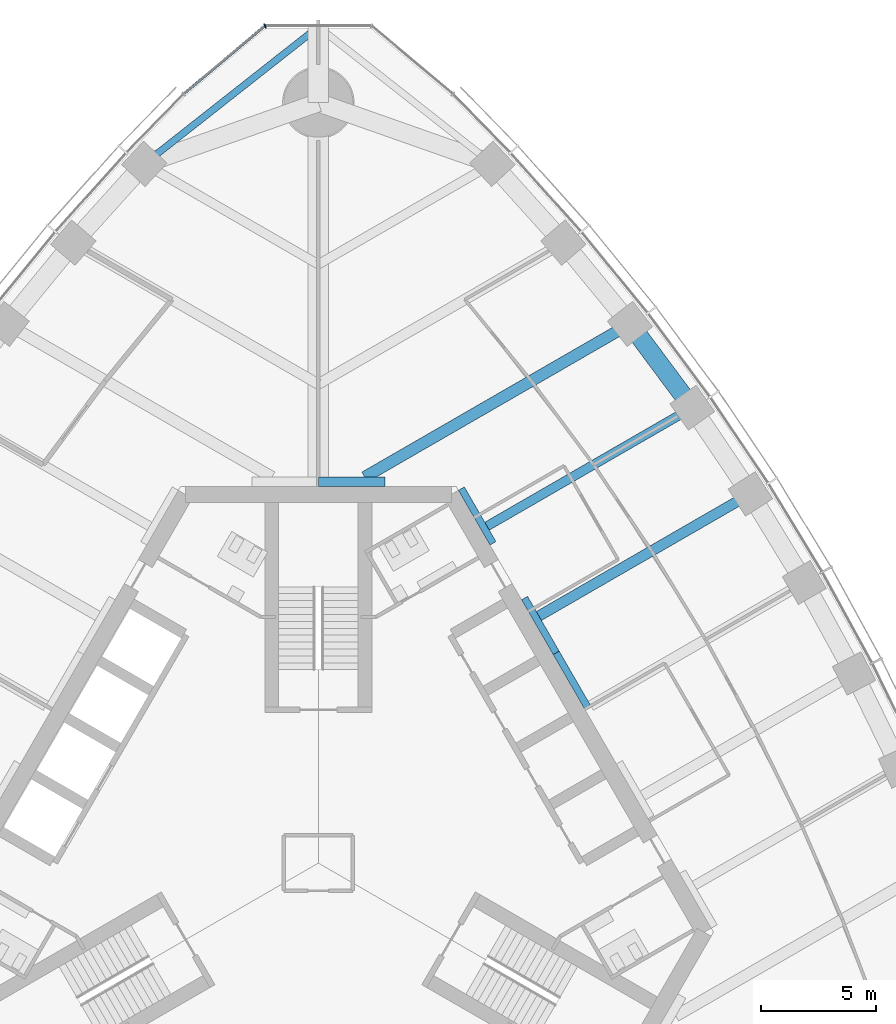
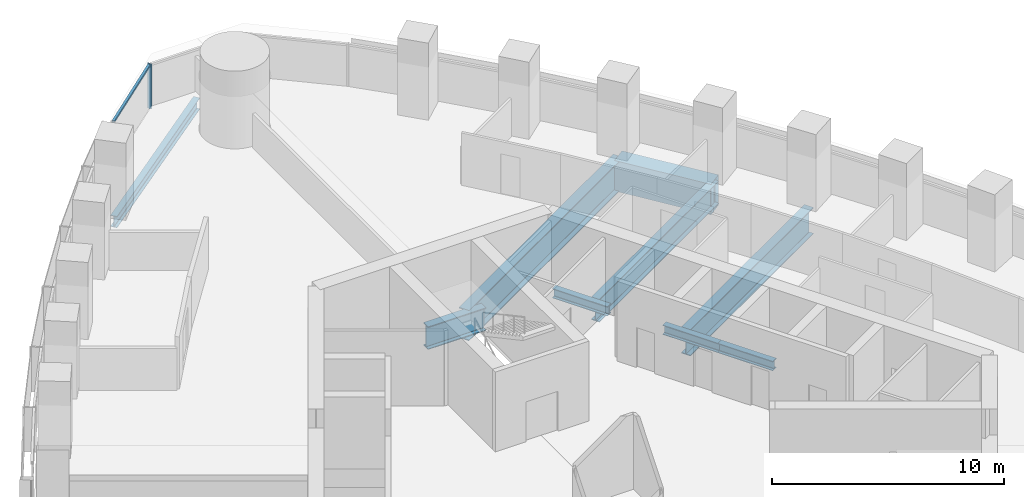
# One storey, part 6 of 19: 9 beams, 2 members, 1 element without a shape of its own.
"""IFC4 building model written with IfcOpenShell, lengths in metres."""

from ifc_helpers import new_model, si_unit, direction, frame, origin, origin_2d, place, context, subcontext, project, spatial, rectangle, i_section, extrude, material, material_profile, profile_set, type_object, element, aggregate, save


model = new_model("IFC4")

# Units and contexts
model_context = context("Model", 3, precision=1e-05, world=origin(), true_north=direction((0.0, 1.0)))
body_context = subcontext(model_context, "Body", "Model", "MODEL_VIEW")
ifc_project = project(units=[si_unit("LENGTHUNIT", "METRE"), si_unit("AREAUNIT", "SQUARE_METRE"), si_unit("VOLUMEUNIT", "CUBIC_METRE"), si_unit("PLANEANGLEUNIT", "RADIAN"), si_unit("MASSUNIT", "GRAM", prefix="KILO")], contexts=[model_context])

# Site, building, storey
site_placement = place(None, origin())
site = spatial("IfcSite", under=ifc_project, at=site_placement, CompositionType="ELEMENT")
building_placement = place(site_placement, origin())
building = spatial("IfcBuilding", under=site, at=building_placement, Name="Trefoil Bronze Tower", CompositionType="ELEMENT")
storey_placement = place(building_placement, frame((0.0, 0.0, 261.10009765625)))
storey = spatial("IfcBuildingStorey", under=building, at=storey_placement, Name="L60", CompositionType="ELEMENT", Elevation=261.10009765625)

# Curtain wall, members
ifc_material_1 = material(Name="Tinted solar-control glass", Category="glass")
curtain_wall_type = type_object("IfcCurtainWallType", Name="Bronze rounded corner curtain wall", PredefinedType="USERDEFINED", material=ifc_material_1)
curtain_wall_placement = place(storey_placement, origin())
curtain_wall = element("IfcCurtainWall", 1, at=curtain_wall_placement, inside=storey, type_object=curtain_wall_type, Name="CW-B L60 K2", ObjectType="CURTAIN WALL", PredefinedType="USERDEFINED")
ifc_material_2 = material(Name="Bronze-finish aluminium", Category="aluminium")
ifc_material_profile_1 = material_profile(ifc_material_2, rectangle(XDim=0.199951171875, YDim=0.06005859375, at=origin_2d()), Name="CW-B mullion")
ifc_profile_set_1 = profile_set([ifc_material_profile_1], Name="Bronze-finish aluminium")
member_type_1 = type_object("IfcMemberType", Name="Bronze rounded corner curtain wall mullion", PredefinedType="MULLION", material=ifc_profile_set_1)
member_1_placement = place(storey_placement, frame((-2.314453125, 36.326416015625, 0.0), z_axis=(0.0, 0.0, 1.0), x_axis=(0.342020143326, -0.939692620786, 0.0)))
member_1 = element("IfcMember", 2, at=member_1_placement, type_object=member_type_1, Name="CW-B L60 K2 mullion 3", PredefinedType="MULLION", context=body_context, shape_type="SweptSolid", body=[
    extrude(rectangle(XDim=0.199951171875, YDim=0.06005859375, at=origin_2d()), origin(), (0.0, 0.0, 1.0), 2.349853515625),
])
ifc_material_3 = material(Name="Bronze-finish aluminium", Category="aluminium")
ifc_material_profile_2 = material_profile(ifc_material_3, rectangle(XDim=0.1201171875, YDim=0.10009765625, at=origin_2d()), Name="CW-B transom")
ifc_profile_set_2 = profile_set([ifc_material_profile_2], Name="Bronze-finish aluminium")
member_type_2 = type_object("IfcMemberType", Name="Bronze rounded corner curtain wall transom", PredefinedType="USERDEFINED", material=ifc_profile_set_2)
member_2_placement = place(storey_placement, frame((-2.367431640625, 36.289794921875, 2.2998046875), z_axis=(-0.766046761698, -0.642784846501, 0.0), x_axis=(0.642784846501, -0.766046761698, 0.0)))
member_2 = element("IfcMember", 3, at=member_2_placement, type_object=member_type_2, Name="CW-B L60 K2 transom 3", ObjectType="TRANSOM", PredefinedType="USERDEFINED", context=body_context, shape_type="SweptSolid", body=[
    extrude(rectangle(XDim=0.1201171875, YDim=0.10009765625, at=origin_2d()), origin(), (0.0, 0.0, 1.0), 4.5),
])
aggregate(curtain_wall, [member_1, member_2])

# Beams
ifc_material_4 = material(Name="Steel C355", Category="steel")
ifc_material_profile_3 = material_profile(ifc_material_4, i_section(OverallWidth=0.300048828125, OverallDepth=0.5, WebThickness=0.014404296875, FlangeThickness=0.028076171875, FilletRadius=0.027099609375, at=origin_2d()), Name="HEB 500")
ifc_profile_set_3 = profile_set([ifc_material_profile_3], Name="Steel C355")
beam_type_1 = type_object("IfcBeamType", Name="Core seat beam HEB 500", PredefinedType="BEAM", material=ifc_profile_set_3)
for number, where, z_axis, x_axis, name in (
    (4, (11.69140625, 6.75, -0.4501953125), (-0.500035825175, 0.866004719122, 0.0), (-0.866004719122, -0.500035825175, 0.0), "Core seat beam F2/+0 L60"),
    (5, (10.320068359375, 9.125, -0.4501953125), (-0.499969057507, 0.866043267704, 0.0), (-0.866043267704, -0.499969057507, 0.0), "Core seat beam F2/+1 L60"),
    (6, (7.57763671875, 13.875, -0.4501953125), (-0.499969057507, 0.866043267704, 0.0), (-0.866043267704, -0.499969057507, 0.0), "Core seat beam F2/+2 L60"),
):
    element("IfcBeam", number, at=place(storey_placement, frame(where, z_axis=z_axis, x_axis=x_axis)), inside=storey, type_object=beam_type_1, Name=name, PredefinedType="BEAM", context=body_context, shape_type="SweptSolid", body=[
        extrude(i_section(OverallWidth=0.300048828125, OverallDepth=0.5, WebThickness=0.014404296875, FlangeThickness=0.028076171875, FilletRadius=0.027099609375, at=origin_2d()), origin(), (0.0, 0.0, 1.0), 2.742431640625),
    ])
ifc_material_5 = material(Name="Steel C355", Category="steel")
ifc_material_profile_4 = material_profile(ifc_material_5, i_section(OverallWidth=0.39990234375, OverallDepth=1.199951171875, WebThickness=0.02001953125, FlangeThickness=0.0400390625, FilletRadius=0.010009765625, at=origin_2d()), Name="WPG 1200")
ifc_profile_set_4 = profile_set([ifc_material_profile_4], Name="Steel C355")
beam_type_2 = type_object("IfcBeamType", Name="Core seat beam WPG 1200", PredefinedType="BEAM", material=ifc_profile_set_4)
beam_1_placement = place(storey_placement, frame((2.88671875, 16.550048828125, -0.800048828125), z_axis=(-1.0, 0.0, 0.0), x_axis=(0.0, -1.0, 0.0)))
element("IfcBeam", 7, at=beam_1_placement, inside=storey, type_object=beam_type_2, Name="Core seat beam F2/+3 L60", PredefinedType="BEAM", context=body_context, shape_type="SweptSolid", body=[
    extrude(i_section(OverallWidth=0.39990234375, OverallDepth=1.199951171875, WebThickness=0.02001953125, FlangeThickness=0.0400390625, FilletRadius=0.010009765625, at=origin_2d()), origin(), (0.0, 0.0, 1.0), 2.88671875),
])
ifc_material_6 = material(Name="Steel C355", Category="steel")
ifc_material_profile_5 = material_profile(ifc_material_6, i_section(OverallWidth=0.300048828125, OverallDepth=0.60009765625, WebThickness=0.015380859375, FlangeThickness=0.030029296875, FilletRadius=0.027099609375, at=origin_2d()), Name="HEB 600")
ifc_profile_set_5 = profile_set([ifc_material_profile_5], Name="Steel C355")
beam_type_3 = type_object("IfcBeamType", Name="Corner edge beam HEB 600", PredefinedType="BEAM", material=ifc_profile_set_5)
beam_2_placement = place(storey_placement, frame((-7.552001953125, 30.3408203125, -0.5), z_axis=(0.785805912008, 0.618473175371, 0.0), x_axis=(-0.618473175371, 0.785805912008, 0.0)))
element("IfcBeam", 8, at=beam_2_placement, inside=storey, type_object=beam_type_3, Name="Corner edge beam F3B L60", PredefinedType="BEAM", context=body_context, shape_type="SweptSolid", body=[
    extrude(i_section(OverallWidth=0.300048828125, OverallDepth=0.60009765625, WebThickness=0.015380859375, FlangeThickness=0.030029296875, FilletRadius=0.027099609375, at=origin_2d()), origin(), (0.0, 0.0, 1.0), 9.610595703125),
])
ifc_material_7 = material(Name="Steel C355", Category="steel")
ifc_material_profile_6 = material_profile(ifc_material_7, i_section(OverallWidth=0.39990234375, OverallDepth=1.199951171875, WebThickness=0.02001953125, FlangeThickness=0.0400390625, FilletRadius=0.010009765625, at=origin_2d()), Name="WPG 1200")
ifc_profile_set_6 = profile_set([ifc_material_profile_6], Name="Steel C355")
beam_type_4 = type_object("IfcBeamType", Name="Floor beam WPG 1200", PredefinedType="BEAM", material=ifc_profile_set_6)
beam_3_placement = place(storey_placement, frame((16.2265625, 19.7607421875, -0.800048828125), z_axis=(-0.866019527493, -0.500010177898, 0.0), x_axis=(0.500010177898, -0.866019527493, 0.0)))
element("IfcBeam", 9, at=beam_3_placement, inside=storey, type_object=beam_type_4, Name="Floor beam F2/+2 L60", PredefinedType="BEAM", context=body_context, shape_type="SweptSolid", body=[
    extrude(i_section(OverallWidth=0.39990234375, OverallDepth=1.199951171875, WebThickness=0.02001953125, FlangeThickness=0.0400390625, FilletRadius=0.010009765625, at=origin_2d()), origin(), (0.0, 0.0, 1.0), 10.282958984375),
])
ifc_material_8 = material(Name="Steel C355", Category="steel")
ifc_material_profile_7 = material_profile(ifc_material_8, i_section(OverallWidth=0.449951171875, OverallDepth=1.39990234375, WebThickness=0.02294921875, FlangeThickness=0.044921875, FilletRadius=0.011962890625, at=origin_2d()), Name="WPG 1400")
ifc_profile_set_7 = profile_set([ifc_material_profile_7], Name="Steel C355")
beam_type_5 = type_object("IfcBeamType", Name="Floor beam WPG 1400", PredefinedType="BEAM", material=ifc_profile_set_7)
beam_4_placement = place(storey_placement, frame((18.748046875, 16.020263671875, -0.900146484375), z_axis=(-0.86602981261, -0.499992363612, 0.0), x_axis=(0.499992363612, -0.86602981261, 0.0)))
element("IfcBeam", 10, at=beam_4_placement, inside=storey, type_object=beam_type_5, Name="Floor beam F2/+1 L60", PredefinedType="BEAM", context=body_context, shape_type="SweptSolid", body=[
    extrude(i_section(OverallWidth=0.449951171875, OverallDepth=1.39990234375, WebThickness=0.02294921875, FlangeThickness=0.044921875, FilletRadius=0.011962890625, at=origin_2d()), origin(), (0.0, 0.0, 1.0), 10.596435546875),
])
ifc_material_9 = material(Name="Steel C355", Category="steel")
ifc_material_profile_8 = material_profile(ifc_material_9, i_section(OverallWidth=0.5, OverallDepth=1.60009765625, WebThickness=0.02587890625, FlangeThickness=0.050048828125, FilletRadius=0.011962890625, at=origin_2d()), Name="WPG 1600")
ifc_profile_set_8 = profile_set([ifc_material_profile_8], Name="Steel C355")
beam_type_6 = type_object("IfcBeamType", Name="Floor beam WPG 1600", PredefinedType="BEAM", material=ifc_profile_set_8)
beam_5_placement = place(storey_placement, frame((13.522216796875, 23.3955078125, -1.0), z_axis=(-0.866023461342, -0.500003364394, 0.0), x_axis=(0.500003364394, -0.866023461342, 0.0)))
element("IfcBeam", 11, at=beam_5_placement, inside=storey, type_object=beam_type_6, Name="Floor beam F2/+3 L60", PredefinedType="BEAM", context=body_context, shape_type="SweptSolid", body=[
    extrude(i_section(OverallWidth=0.5, OverallDepth=1.60009765625, WebThickness=0.02587890625, FlangeThickness=0.050048828125, FilletRadius=0.011962890625, at=origin_2d()), origin(), (0.0, 0.0, 1.0), 13.291015625),
])
ifc_material_10 = material(Name="Concrete B80", Category="concrete")
ifc_material_profile_9 = material_profile(ifc_material_10, rectangle(XDim=0.800048828125, YDim=1.60009765625, at=origin_2d()), Name="RC 800x1600")
ifc_profile_set_9 = profile_set([ifc_material_profile_9], Name="Concrete B80")
beam_type_7 = type_object("IfcBeamType", Name="Spandrel beam RC 800x1600", PredefinedType="SPANDREL", material=ifc_profile_set_9)
beam_6_placement = place(storey_placement, frame((16.2265625, 19.7607421875, -1.0), z_axis=(-0.596926078257, 0.802296240236, 0.0), x_axis=(-0.802296240236, -0.596926078257, 0.0)))
element("IfcBeam", 12, at=beam_6_placement, inside=storey, type_object=beam_type_7, Name="Spandrel F2.9 L60", PredefinedType="SPANDREL", context=body_context, shape_type="SweptSolid", body=[
    extrude(rectangle(XDim=0.800048828125, YDim=1.60009765625, at=origin_2d()), origin(), (0.0, 0.0, 1.0), 4.530517578125),
])

save(model, "model.ifc")
